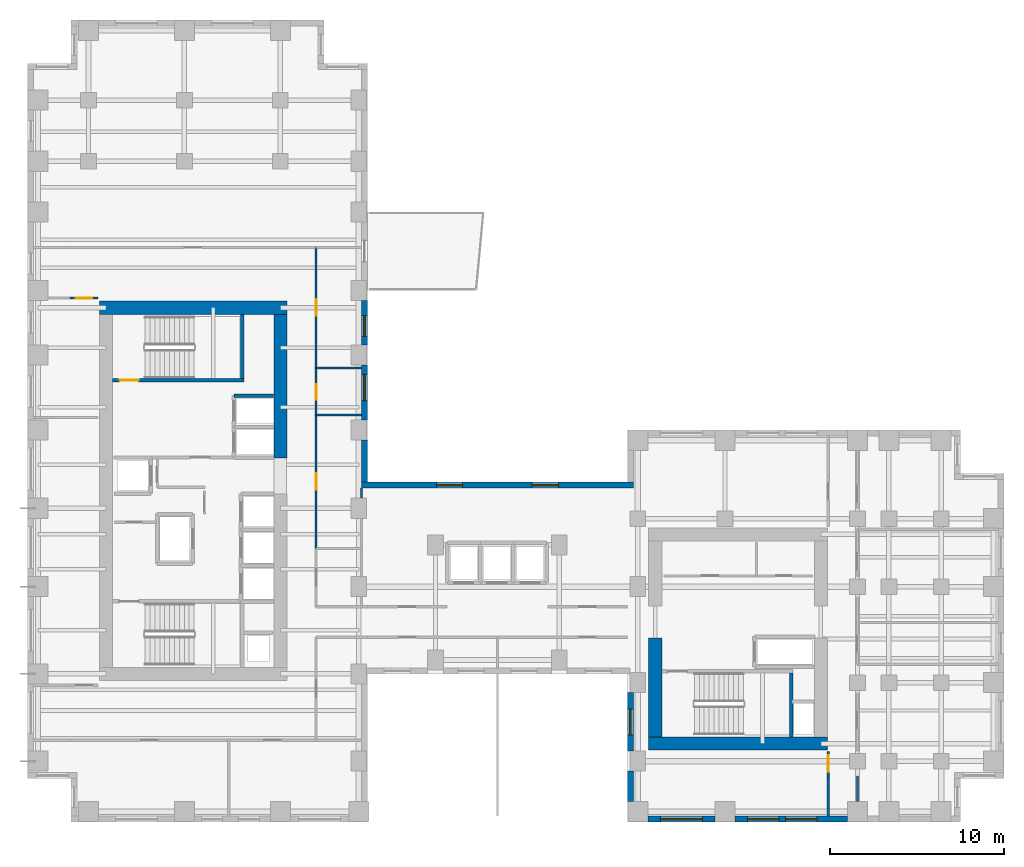
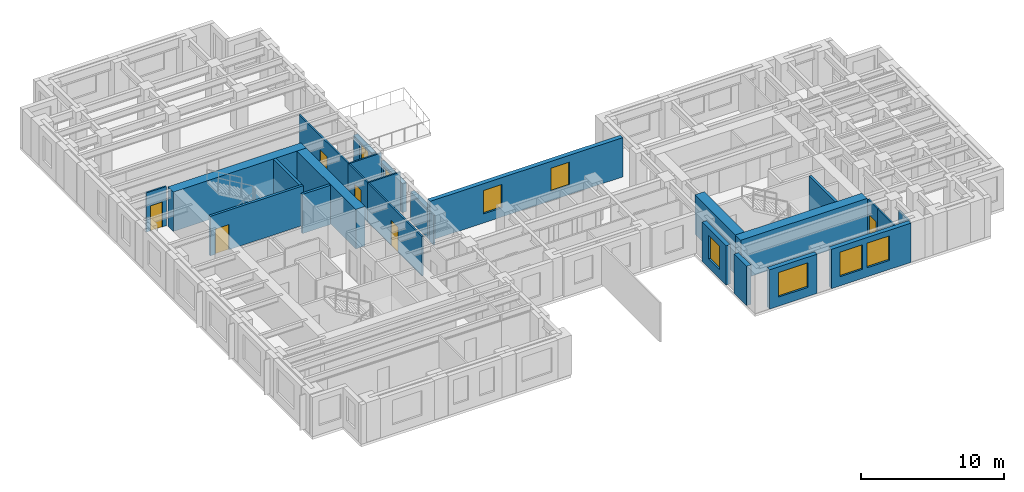
# One storey, part 6 of 11: 26 walls, 8 windows, 6 doors, 14 openings.
"""IFC4 building model written with IfcOpenShell, lengths in metres."""

from ifc_helpers import new_model, si_unit, direction, frame, frame_2d, origin, place, context, subcontext, project, spatial, rectangle, extrude, source, transform, mapped, material, layer, layer_set, type_object, element, fill, save


model = new_model("IFC4")

# Units and contexts
model_context = context("Model", 3, precision=1e-05, world=origin(), true_north=direction((0.0, 1.0)))
body_context = subcontext(model_context, "Body", "Model", "MODEL_VIEW")
ifc_project = project(units=[si_unit("LENGTHUNIT", "METRE"), si_unit("AREAUNIT", "SQUARE_METRE"), si_unit("VOLUMEUNIT", "CUBIC_METRE"), si_unit("PLANEANGLEUNIT", "RADIAN"), si_unit("MASSUNIT", "GRAM", prefix="KILO")], contexts=[model_context])

# Site, building, storey
site_placement = place(None, origin())
site = spatial("IfcSite", under=ifc_project, at=site_placement, CompositionType="ELEMENT")
building_placement = place(site_placement, origin())
building = spatial("IfcBuilding", under=site, at=building_placement, Name="Kharzan Plaza Tower", CompositionType="ELEMENT")
storey_placement = place(building_placement, frame((0.0, 0.0, 99.0)))
storey = spatial("IfcBuildingStorey", under=building, at=storey_placement, Name="L26", CompositionType="ELEMENT", Elevation=99.0)

# Wall, opening, window
ifc_material_1 = material(Name="Concrete C40/50", Category="concrete")
ifc_layer_1 = layer(ifc_material_1, 0.35009765625)
ifc_layer_set_1 = layer_set([ifc_layer_1], Name="Concrete C40/50")
wall_type_1 = type_object("IfcWallType", Name="WL-EXT-MAS-Z2", PredefinedType="SOLIDWALL", material=ifc_layer_set_1)
wall_1_placement = place(storey_placement, frame((19.324951171875, 23.072998046875, 0.0), z_axis=(0.0, 0.0, 1.0), x_axis=(0.0, 1.0, 0.0)))
wall_1 = element("IfcWall", 1, at=wall_1_placement, inside=storey, type_object=wall_type_1, Name="L26 Masonry-Frame Exterior Wall 02", PredefinedType="SOLIDWALL", context=body_context, shape_type="SweptSolid", body=[
    extrude(rectangle(XDim=3.154052734375, YDim=0.35009765625, at=frame_2d((1.5771484375, 0.0))), origin(), (0.0, 0.0, 1.0), 2.51904296875),
])
opening_1_placement = place(wall_1_placement, frame((1.10546875, 0.0, 0.780029296875)))
opening_1 = element("IfcOpeningElement", 2, at=opening_1_placement, cuts=wall_1, Name="Opening W5", PredefinedType="OPENING", context=body_context, shape_type="SweptSolid", body=[
    extrude(rectangle(XDim=1.5, YDim=1.55908203125, at=frame_2d((0.75, 0.779541015625))), frame((0.0, 0.18505859375, 0.0), z_axis=(0.0, -1.0, 0.0), x_axis=(1.0, 0.0, 0.0)), (0.0, 0.0, 1.0), 0.3701171875),
])
ifc_material_2 = material(Name="Low-E Double Glazing", Category="glass")
window_type_1 = type_object("IfcWindowType", Name="WN-SLT-1500x2000", PartitioningType="SINGLE_PANEL", PredefinedType="WINDOW", material=ifc_material_2)
shared_shape_1 = source(origin(), body_context, "Body", "SweptSolid", [
    extrude(rectangle(XDim=1.5, YDim=1.55908203125, at=frame_2d((0.75, 0.779541015625))), frame((0.0, 0.030029296875, 0.0), z_axis=(0.0, -1.0, 0.0), x_axis=(1.0, 0.0, 0.0)), (0.0, 0.0, 1.0), 0.06005859375),
])
window_1_placement = place(opening_1_placement, origin())
window_1 = element("IfcWindow", 3, at=window_1_placement, inside=storey, type_object=window_type_1, Name="L26 Recessed Solar-Control Window 02-1", OverallHeight=1.55908203125, OverallWidth=1.5, PartitioningType="SINGLE_PANEL", PredefinedType="WINDOW", context=body_context, shape_type="MappedRepresentation", body=[
    mapped(shared_shape_1, transform((0.0, 0.0, 0.0), x_axis=(1.0, 0.0, 0.0), y_axis=(0.0, 1.0, 0.0), z_axis=(0.0, 0.0, 1.0))),
])
fill(opening_1, window_1)

wall_2_placement = place(storey_placement, frame((19.324951171875, 27.373046875, 0.0), z_axis=(0.0, 0.0, 1.0), x_axis=(0.0, 1.0, 0.0)))
wall_2 = element("IfcWall", 4, at=wall_2_placement, inside=storey, type_object=wall_type_1, Name="L26 Masonry-Frame Exterior Wall 03", PredefinedType="SOLIDWALL", context=body_context, shape_type="SweptSolid", body=[
    extrude(rectangle(XDim=2.553955078125, YDim=0.35009765625, at=frame_2d((1.27685546875, 0.0))), origin(), (0.0, 0.0, 1.0), 2.51904296875),
])
opening_2_placement = place(wall_2_placement, frame((0.47998046875, 0.0, 0.780029296875)))
opening_2 = element("IfcOpeningElement", 5, at=opening_2_placement, cuts=wall_2, Name="Opening W3", PredefinedType="OPENING", context=body_context, shape_type="SweptSolid", body=[
    extrude(rectangle(XDim=1.199951171875, YDim=1.55908203125, at=frame_2d((0.60009765625, 0.779541015625))), frame((0.0, 0.18505859375, 0.0), z_axis=(0.0, -1.0, 0.0), x_axis=(1.0, 0.0, 0.0)), (0.0, 0.0, 1.0), 0.3701171875),
])
window_type_2 = type_object("IfcWindowType", Name="WN-REC-1200x2100", PartitioningType="SINGLE_PANEL", PredefinedType="WINDOW", material=ifc_material_2)
shared_shape_2 = source(origin(), body_context, "Body", "SweptSolid", [
    extrude(rectangle(XDim=1.199951171875, YDim=1.55908203125, at=frame_2d((0.60009765625, 0.779541015625))), frame((0.0, 0.030029296875, 0.0), z_axis=(0.0, -1.0, 0.0), x_axis=(1.0, 0.0, 0.0)), (0.0, 0.0, 1.0), 0.06005859375),
])
window_2_placement = place(opening_2_placement, origin())
window_2 = element("IfcWindow", 6, at=window_2_placement, inside=storey, type_object=window_type_2, Name="L26 Recessed Solar-Control Window 03-1", OverallHeight=1.55908203125, OverallWidth=1.199951171875, PartitioningType="SINGLE_PANEL", PredefinedType="WINDOW", context=body_context, shape_type="MappedRepresentation", body=[
    mapped(shared_shape_2, transform((0.0, 0.0, 0.0), x_axis=(1.0, 0.0, 0.0), y_axis=(0.0, 1.0, 0.0), z_axis=(0.0, 0.0, 1.0))),
])
fill(opening_2, window_2)

wall_3_placement = place(storey_placement, frame((34.574951171875, 7.427001953125, 0.0), z_axis=(0.0, 0.0, 1.0), x_axis=(0.0, -1.0, 0.0)))
wall_3 = element("IfcWall", 7, at=wall_3_placement, inside=storey, type_object=wall_type_1, Name="L26 Masonry-Frame Exterior Wall 37", PredefinedType="SOLIDWALL", context=body_context, shape_type="SweptSolid", body=[
    extrude(rectangle(XDim=3.35400390625, YDim=0.35009765625, at=frame_2d((1.677001953125, 0.0))), origin(), (0.0, 0.0, 1.0), 3.364990234375),
])
opening_3_placement = place(wall_3_placement, frame((0.927001953125, 0.0, 0.780029296875)))
opening_3 = element("IfcOpeningElement", 8, at=opening_3_placement, cuts=wall_3, Name="Opening W5", PredefinedType="OPENING", context=body_context, shape_type="SweptSolid", body=[
    extrude(rectangle(XDim=1.5, YDim=2.0, at=frame_2d((0.75, 1.0))), frame((0.0, 0.18505859375, 0.0), z_axis=(0.0, -1.0, 0.0), x_axis=(1.0, 0.0, 0.0)), (0.0, 0.0, 1.0), 0.3701171875),
])
shared_shape_3 = source(origin(), body_context, "Body", "SweptSolid", [
    extrude(rectangle(XDim=1.5, YDim=2.0, at=frame_2d((0.75, 1.0))), frame((0.0, 0.030029296875, 0.0), z_axis=(0.0, -1.0, 0.0), x_axis=(1.0, 0.0, 0.0)), (0.0, 0.0, 1.0), 0.06005859375),
])
window_3_placement = place(opening_3_placement, origin())
window_3 = element("IfcWindow", 9, at=window_3_placement, inside=storey, type_object=window_type_1, Name="L26 Recessed Solar-Control Window 37-1", OverallHeight=2.0, OverallWidth=1.5, PartitioningType="SINGLE_PANEL", PredefinedType="WINDOW", context=body_context, shape_type="MappedRepresentation", body=[
    mapped(shared_shape_3, transform((0.0, 0.0, 0.0), x_axis=(1.0, 0.0, 0.0), y_axis=(0.0, 1.0, 0.0), z_axis=(0.0, 0.0, 1.0))),
])
fill(opening_3, window_3)

wall_4_placement = place(storey_placement, frame((35.572998046875, 0.175048828125, 0.0), z_axis=(0.0, 0.0, 1.0), x_axis=(1.0, 0.0, 0.0)))
wall_4 = element("IfcWall", 10, at=wall_4_placement, inside=storey, type_object=wall_type_1, Name="L26 Masonry-Frame Exterior Wall 39", PredefinedType="SOLIDWALL", context=body_context, shape_type="SweptSolid", body=[
    extrude(rectangle(XDim=3.85400390625, YDim=0.35009765625, at=frame_2d((1.927001953125, 0.0))), origin(), (0.0, 0.0, 1.0), 3.364990234375),
])
opening_4_placement = place(wall_4_placement, frame((0.72705078125, 0.0, 0.780029296875)))
opening_4 = element("IfcOpeningElement", 11, at=opening_4_placement, cuts=wall_4, Name="Opening W2", PredefinedType="OPENING", context=body_context, shape_type="SweptSolid", body=[
    extrude(rectangle(XDim=2.39990234375, YDim=2.10009765625, at=frame_2d((1.199951171875, 1.050048828125))), frame((0.0, 0.18505859375, 0.0), z_axis=(0.0, -1.0, 0.0), x_axis=(1.0, 0.0, 0.0)), (0.0, 0.0, 1.0), 0.3701171875),
])
window_type_3 = type_object("IfcWindowType", Name="WN-REC-2400x2100", PartitioningType="SINGLE_PANEL", PredefinedType="WINDOW", material=ifc_material_2)
shared_shape_4 = source(origin(), body_context, "Body", "SweptSolid", [
    extrude(rectangle(XDim=2.39990234375, YDim=2.10009765625, at=frame_2d((1.199951171875, 1.050048828125))), frame((0.0, 0.030029296875, 0.0), z_axis=(0.0, -1.0, 0.0), x_axis=(1.0, 0.0, 0.0)), (0.0, 0.0, 1.0), 0.06005859375),
])
window_4_placement = place(opening_4_placement, origin())
window_4 = element("IfcWindow", 12, at=window_4_placement, inside=storey, type_object=window_type_3, Name="L26 Wide Recessed Solar-Control Window 39-1", OverallHeight=2.10009765625, OverallWidth=2.39990234375, PartitioningType="SINGLE_PANEL", PredefinedType="WINDOW", context=body_context, shape_type="MappedRepresentation", body=[
    mapped(shared_shape_4, transform((0.0, 0.0, 0.0), x_axis=(1.0, 0.0, 0.0), y_axis=(0.0, 1.0, 0.0), z_axis=(0.0, 0.0, 1.0))),
])
fill(opening_4, window_4)

# Wall, openings, windows
wall_5_placement = place(storey_placement, frame((40.572998046875, 0.175048828125, 0.0), z_axis=(0.0, 0.0, 1.0), x_axis=(1.0, 0.0, 0.0)))
wall_5 = element("IfcWall", 13, at=wall_5_placement, inside=storey, type_object=wall_type_1, Name="L26 Masonry-Frame Exterior Wall 40", PredefinedType="SOLIDWALL", context=body_context, shape_type="SweptSolid", body=[
    extrude(rectangle(XDim=6.4541015625, YDim=0.35009765625, at=frame_2d((3.22705078125, 0.0))), origin(), (0.0, 0.0, 1.0), 3.364990234375),
])
opening_5_placement = place(wall_5_placement, frame((0.71240234375, 0.0, 0.780029296875)))
opening_5 = element("IfcOpeningElement", 14, at=opening_5_placement, cuts=wall_5, Name="Opening W1", PredefinedType="OPENING", context=body_context, shape_type="SweptSolid", body=[
    extrude(rectangle(XDim=1.800048828125, YDim=2.10009765625, at=frame_2d((0.89990234375, 1.050048828125))), frame((0.0, 0.18505859375, 0.0), z_axis=(0.0, -1.0, 0.0), x_axis=(1.0, 0.0, 0.0)), (0.0, 0.0, 1.0), 0.3701171875),
])
opening_6_placement = place(wall_5_placement, frame((2.90478515625, 0.0, 0.780029296875)))
opening_6 = element("IfcOpeningElement", 15, at=opening_6_placement, cuts=wall_5, Name="Opening W1", PredefinedType="OPENING", context=body_context, shape_type="SweptSolid", body=[
    extrude(rectangle(XDim=1.800048828125, YDim=2.10009765625, at=frame_2d((0.89990234375, 1.050048828125))), frame((0.0, 0.18505859375, 0.0), z_axis=(0.0, -1.0, 0.0), x_axis=(1.0, 0.0, 0.0)), (0.0, 0.0, 1.0), 0.3701171875),
])
window_type_4 = type_object("IfcWindowType", Name="WN-REC-1800x2100", PartitioningType="SINGLE_PANEL", PredefinedType="WINDOW", material=ifc_material_2)
shared_shape_5 = source(origin(), body_context, "Body", "SweptSolid", [
    extrude(rectangle(XDim=1.800048828125, YDim=2.10009765625, at=frame_2d((0.89990234375, 1.050048828125))), frame((0.0, 0.030029296875, 0.0), z_axis=(0.0, -1.0, 0.0), x_axis=(1.0, 0.0, 0.0)), (0.0, 0.0, 1.0), 0.06005859375),
])
window_5_placement = place(opening_5_placement, origin())
window_5 = element("IfcWindow", 16, at=window_5_placement, inside=storey, type_object=window_type_4, Name="L26 Recessed Solar-Control Window 40-1", OverallHeight=2.10009765625, OverallWidth=1.800048828125, PartitioningType="SINGLE_PANEL", PredefinedType="WINDOW", context=body_context, shape_type="MappedRepresentation", body=[
    mapped(shared_shape_5, transform((0.0, 0.0, 0.0), x_axis=(1.0, 0.0, 0.0), y_axis=(0.0, 1.0, 0.0), z_axis=(0.0, 0.0, 1.0))),
])
fill(opening_5, window_5)
window_6_placement = place(opening_6_placement, origin())
window_6 = element("IfcWindow", 17, at=window_6_placement, inside=storey, type_object=window_type_4, Name="L26 Recessed Solar-Control Window 40-2", OverallHeight=2.10009765625, OverallWidth=1.800048828125, PartitioningType="SINGLE_PANEL", PredefinedType="WINDOW", context=body_context, shape_type="MappedRepresentation", body=[
    mapped(shared_shape_5, transform((0.0, 0.0, 0.0), x_axis=(1.0, 0.0, 0.0), y_axis=(0.0, 1.0, 0.0), z_axis=(0.0, 0.0, 1.0))),
])
fill(opening_6, window_6)

wall_6_placement = place(storey_placement, frame((34.75, 19.324951171875, 0.0), z_axis=(0.0, 0.0, 1.0), x_axis=(-1.0, 0.0, 0.0)))
wall_6 = element("IfcWall", 18, at=wall_6_placement, inside=storey, type_object=wall_type_1, Name="L26 Masonry-Frame Exterior Wall 58", PredefinedType="SOLIDWALL", context=body_context, shape_type="SweptSolid", body=[
    extrude(rectangle(XDim=15.60009765625, YDim=0.35009765625, at=frame_2d((7.800048828125, 0.0))), origin(), (0.0, 0.0, 1.0), 3.364990234375),
])
opening_7_placement = place(wall_6_placement, frame((4.306640625, 0.0, 0.780029296875)))
opening_7 = element("IfcOpeningElement", 19, at=opening_7_placement, cuts=wall_6, Name="Opening W5", PredefinedType="OPENING", context=body_context, shape_type="SweptSolid", body=[
    extrude(rectangle(XDim=1.5, YDim=2.0, at=frame_2d((0.75, 1.0))), frame((0.0, 0.18505859375, 0.0), z_axis=(0.0, -1.0, 0.0), x_axis=(1.0, 0.0, 0.0)), (0.0, 0.0, 1.0), 0.3701171875),
])
opening_8_placement = place(wall_6_placement, frame((9.793212890625, 0.0, 0.780029296875)))
opening_8 = element("IfcOpeningElement", 20, at=opening_8_placement, cuts=wall_6, Name="Opening W5", PredefinedType="OPENING", context=body_context, shape_type="SweptSolid", body=[
    extrude(rectangle(XDim=1.5, YDim=2.0, at=frame_2d((0.75, 1.0))), frame((0.0, 0.18505859375, 0.0), z_axis=(0.0, -1.0, 0.0), x_axis=(1.0, 0.0, 0.0)), (0.0, 0.0, 1.0), 0.3701171875),
])
window_7_placement = place(opening_7_placement, origin())
window_7 = element("IfcWindow", 21, at=window_7_placement, inside=storey, type_object=window_type_1, Name="L26 Recessed Solar-Control Window 58-1", OverallHeight=2.0, OverallWidth=1.5, PartitioningType="SINGLE_PANEL", PredefinedType="WINDOW", context=body_context, shape_type="MappedRepresentation", body=[
    mapped(shared_shape_3, transform((0.0, 0.0, 0.0), x_axis=(1.0, 0.0, 0.0), y_axis=(0.0, 1.0, 0.0), z_axis=(0.0, 0.0, 1.0))),
])
fill(opening_7, window_7)
window_8_placement = place(opening_8_placement, origin())
window_8 = element("IfcWindow", 22, at=window_8_placement, inside=storey, type_object=window_type_1, Name="L26 Recessed Solar-Control Window 58-2", OverallHeight=2.0, OverallWidth=1.5, PartitioningType="SINGLE_PANEL", PredefinedType="WINDOW", context=body_context, shape_type="MappedRepresentation", body=[
    mapped(shared_shape_3, transform((0.0, 0.0, 0.0), x_axis=(1.0, 0.0, 0.0), y_axis=(0.0, 1.0, 0.0), z_axis=(0.0, 0.0, 1.0))),
])
fill(opening_8, window_8)

# Wall, opening, door
ifc_material_3 = material(Name="Fire-Rated Gypsum Board Partition", Category="gypsum")
ifc_layer_2 = layer(ifc_material_3, 0.125)
ifc_layer_set_2 = layer_set([ifc_layer_2], Name="Fire-Rated Gypsum Board Partition")
wall_type_2 = type_object("IfcWallType", Name="WL-INT-PART-125", PredefinedType="PARTITIONING", material=ifc_layer_set_2)
wall_7_placement = place(storey_placement, frame((16.550048828125, 15.699951171875, 0.0), z_axis=(0.0, 0.0, 1.0), x_axis=(0.0, 1.0, 0.0)))
wall_7 = element("IfcWall", 23, at=wall_7_placement, inside=storey, type_object=wall_type_2, Name="L26 Interior Partition SH-AEWN2", PredefinedType="PARTITIONING", context=body_context, shape_type="SweptSolid", body=[
    extrude(rectangle(XDim=7.650146484375, YDim=0.125, at=frame_2d((3.8251953125, 0.0))), origin(), (0.0, 0.0, 1.0), 3.364990234375),
])
opening_9_placement = place(wall_7_placement, frame((3.35009765625, 0.0, 0.0)))
opening_9 = element("IfcOpeningElement", 24, at=opening_9_placement, cuts=wall_7, Name="Opening OD1", PredefinedType="OPENING", context=body_context, shape_type="SweptSolid", body=[
    extrude(rectangle(XDim=0.949951171875, YDim=2.14990234375, at=frame_2d((0.47509765625, 1.074951171875))), frame((0.0, 0.072509765625, 0.0), z_axis=(0.0, -1.0, 0.0), x_axis=(1.0, 0.0, 0.0)), (0.0, 0.0, 1.0), 0.14501953125),
])
ifc_material_4 = material(Name="Acoustic Solid-Core Stained Oak", Category="timber")
door_type_1 = type_object("IfcDoorType", Name="DR-OFF-SINGLE", OperationType="NOTDEFINED", PredefinedType="DOOR", material=ifc_material_4)
shared_shape_6 = source(origin(), body_context, "Body", "SweptSolid", [
    extrude(rectangle(XDim=0.949951171875, YDim=2.14990234375, at=frame_2d((0.47509765625, 1.074951171875))), frame((0.0, 0.02490234375, 0.0), z_axis=(0.0, -1.0, 0.0), x_axis=(1.0, 0.0, 0.0)), (0.0, 0.0, 1.0), 0.050048828125),
])
door_1_placement = place(opening_9_placement, origin())
door_1 = element("IfcDoor", 25, at=door_1_placement, inside=storey, type_object=door_type_1, Name="L26 Slot Studio Door", OperationType="SINGLE_SWING_RIGHT", OverallHeight=2.14990234375, OverallWidth=0.949951171875, PredefinedType="DOOR", context=body_context, shape_type="MappedRepresentation", body=[
    mapped(shared_shape_6, transform((0.0, 0.0, 0.0), x_axis=(1.0, 0.0, 0.0), y_axis=(0.0, 1.0, 0.0), z_axis=(0.0, 0.0, 1.0))),
])
fill(opening_9, door_1)

wall_8_placement = place(storey_placement, frame((16.550048828125, 26.050048828125, 0.0), z_axis=(0.0, 0.0, 1.0), x_axis=(0.0, 1.0, 0.0)))
wall_8 = element("IfcWall", 26, at=wall_8_placement, inside=storey, type_object=wall_type_2, Name="L26 Interior Partition SH-AEWN3", PredefinedType="PARTITIONING", context=body_context, shape_type="SweptSolid", body=[
    extrude(rectangle(XDim=6.89990234375, YDim=0.125, at=frame_2d((3.449951171875, 0.0))), origin(), (0.0, 0.0, 1.0), 3.364990234375),
])
opening_10_placement = place(wall_8_placement, frame((2.97509765625, 0.0, 0.0)))
opening_10 = element("IfcOpeningElement", 27, at=opening_10_placement, cuts=wall_8, Name="Opening OD1", PredefinedType="OPENING", context=body_context, shape_type="SweptSolid", body=[
    extrude(rectangle(XDim=0.949951171875, YDim=2.14990234375, at=frame_2d((0.47509765625, 1.074951171875))), frame((0.0, 0.072509765625, 0.0), z_axis=(0.0, -1.0, 0.0), x_axis=(1.0, 0.0, 0.0)), (0.0, 0.0, 1.0), 0.14501953125),
])
door_2_placement = place(opening_10_placement, origin())
door_2 = element("IfcDoor", 28, at=door_2_placement, inside=storey, type_object=door_type_1, Name="L26 Staff Tea Point Door", OperationType="SINGLE_SWING_RIGHT", OverallHeight=2.14990234375, OverallWidth=0.949951171875, PredefinedType="DOOR", context=body_context, shape_type="MappedRepresentation", body=[
    mapped(shared_shape_6, transform((0.0, 0.0, 0.0), x_axis=(1.0, 0.0, 0.0), y_axis=(0.0, 1.0, 0.0), z_axis=(0.0, 0.0, 1.0))),
])
fill(opening_10, door_2)

wall_9_placement = place(storey_placement, frame((16.550048828125, 23.35009765625, 0.0), z_axis=(0.0, 0.0, 1.0), x_axis=(0.0, 1.0, 0.0)))
wall_9 = element("IfcWall", 29, at=wall_9_placement, inside=storey, type_object=wall_type_2, Name="L26 Interior Partition SH-AEWW", PredefinedType="PARTITIONING", context=body_context, shape_type="SweptSolid", body=[
    extrude(rectangle(XDim=2.699951171875, YDim=0.125, at=frame_2d((1.35009765625, 0.0))), origin(), (0.0, 0.0, 1.0), 3.364990234375),
])
opening_11_placement = place(wall_9_placement, frame((0.875, 0.0, 0.0)))
opening_11 = element("IfcOpeningElement", 30, at=opening_11_placement, cuts=wall_9, Name="Opening WD1", PredefinedType="OPENING", context=body_context, shape_type="SweptSolid", body=[
    extrude(rectangle(XDim=0.89990234375, YDim=2.14990234375, at=frame_2d((0.449951171875, 1.074951171875))), frame((0.0, 0.072509765625, 0.0), z_axis=(0.0, -1.0, 0.0), x_axis=(1.0, 0.0, 0.0)), (0.0, 0.0, 1.0), 0.14501953125),
])
ifc_material_5 = material(Name="Moisture-Resistant Fire-Rated Laminate", Category="timber")
door_type_2 = type_object("IfcDoorType", Name="DR-WC-900", OperationType="NOTDEFINED", PredefinedType="DOOR", material=ifc_material_5)
shared_shape_7 = source(origin(), body_context, "Body", "SweptSolid", [
    extrude(rectangle(XDim=0.89990234375, YDim=2.14990234375, at=frame_2d((0.449951171875, 1.074951171875))), frame((0.0, 0.02490234375, 0.0), z_axis=(0.0, -1.0, 0.0), x_axis=(1.0, 0.0, 0.0)), (0.0, 0.0, 1.0), 0.050048828125),
])
door_3_placement = place(opening_11_placement, origin())
door_3 = element("IfcDoor", 31, at=door_3_placement, inside=storey, type_object=door_type_2, Name="L26 Wing A Washroom Door", OperationType="SINGLE_SWING_LEFT", OverallHeight=2.14990234375, OverallWidth=0.89990234375, PredefinedType="DOOR", context=body_context, shape_type="MappedRepresentation", body=[
    mapped(shared_shape_7, transform((0.0, 0.0, 0.0), x_axis=(1.0, 0.0, 0.0), y_axis=(0.0, 1.0, 0.0), z_axis=(0.0, 0.0, 1.0))),
])
fill(opening_11, door_3)

wall_10_placement = place(storey_placement, frame((45.919921875, 2.64990234375, 0.0), z_axis=(0.0, 0.0, 1.0), x_axis=(0.0, 1.0, 0.0)))
wall_10 = element("IfcWall", 32, at=wall_10_placement, inside=storey, type_object=wall_type_2, Name="L26 Interior Partition SH-RBSE", PredefinedType="PARTITIONING", context=body_context, shape_type="SweptSolid", body=[
    extrude(rectangle(XDim=1.400146484375, YDim=0.125, at=frame_2d((0.7001953125, 0.0))), origin(), (0.0, 0.0, 1.0), 3.364990234375),
])
opening_12_placement = place(wall_10_placement, frame((0.22509765625, 0.0, 0.0)))
opening_12 = element("IfcOpeningElement", 33, at=opening_12_placement, cuts=wall_10, Name="Opening OD1", PredefinedType="OPENING", context=body_context, shape_type="SweptSolid", body=[
    extrude(rectangle(XDim=0.949951171875, YDim=2.14990234375, at=frame_2d((0.47509765625, 1.074951171875))), frame((0.0, 0.072509765625, 0.0), z_axis=(0.0, -1.0, 0.0), x_axis=(1.0, 0.0, 0.0)), (0.0, 0.0, 1.0), 0.14501953125),
])
door_4_placement = place(opening_12_placement, origin())
door_4 = element("IfcDoor", 34, at=door_4_placement, inside=storey, type_object=door_type_1, Name="L26 South-East Corner Office Door", OperationType="SINGLE_SWING_LEFT", OverallHeight=2.14990234375, OverallWidth=0.949951171875, PredefinedType="DOOR", context=body_context, shape_type="MappedRepresentation", body=[
    mapped(shared_shape_6, transform((0.0, 0.0, 0.0), x_axis=(1.0, 0.0, 0.0), y_axis=(0.0, 1.0, 0.0), z_axis=(0.0, 0.0, 1.0))),
])
fill(opening_12, door_4)

wall_11_placement = place(storey_placement, frame((2.449951171875, 30.050048828125, 0.0), z_axis=(0.0, 0.0, 1.0), x_axis=(1.0, 0.0, 0.0)))
wall_11 = element("IfcWall", 35, at=wall_11_placement, inside=storey, type_object=wall_type_2, Name="L26 Interior Partition SH-RWND", PredefinedType="PARTITIONING", context=body_context, shape_type="SweptSolid", body=[
    extrude(rectangle(XDim=1.60009765625, YDim=0.125, at=frame_2d((0.800048828125, 0.0))), origin(), (0.0, 0.0, 1.0), 3.364990234375),
])
opening_13_placement = place(wall_11_placement, frame((0.324951171875, 0.0, 0.0)))
opening_13 = element("IfcOpeningElement", 36, at=opening_13_placement, cuts=wall_11, Name="Opening OD1", PredefinedType="OPENING", context=body_context, shape_type="SweptSolid", body=[
    extrude(rectangle(XDim=0.949951171875, YDim=2.14990234375, at=frame_2d((0.47509765625, 1.074951171875))), frame((0.0, 0.072509765625, 0.0), z_axis=(0.0, -1.0, 0.0), x_axis=(1.0, 0.0, 0.0)), (0.0, 0.0, 1.0), 0.14501953125),
])
door_5_placement = place(opening_13_placement, origin())
door_5 = element("IfcDoor", 37, at=door_5_placement, inside=storey, type_object=door_type_1, Name="L26 West Office 2 Door", OperationType="SINGLE_SWING_RIGHT", OverallHeight=2.14990234375, OverallWidth=0.949951171875, PredefinedType="DOOR", context=body_context, shape_type="MappedRepresentation", body=[
    mapped(shared_shape_6, transform((0.0, 0.0, 0.0), x_axis=(1.0, 0.0, 0.0), y_axis=(0.0, 1.0, 0.0), z_axis=(0.0, 0.0, 1.0))),
])
fill(opening_13, door_5)

ifc_material_6 = material(Name="Concrete C50/60", Category="concrete")
ifc_layer_3 = layer(ifc_material_6, 0.199951171875)
ifc_layer_set_3 = layer_set([ifc_layer_3], Name="Concrete C50/60")
wall_type_3 = type_object("IfcWallType", Name="WL-SHAFT-RC200", PredefinedType="SHEAR", material=ifc_layer_set_3)
wall_12_placement = place(storey_placement, frame((4.876953125, 25.344970703125, 0.0), z_axis=(0.0, 0.0, 1.0), x_axis=(1.0, 0.0, 0.0)))
wall_12 = element("IfcWall", 38, at=wall_12_placement, inside=storey, type_object=wall_type_3, Name="L26 Stair ST-2 South RC Shaft Wall", PredefinedType="SHEAR", context=body_context, shape_type="SweptSolid", body=[
    extrude(rectangle(XDim=7.528076171875, YDim=0.199951171875, at=frame_2d((3.76416015625, 0.0))), origin(), (0.0, 0.0, 1.0), 3.3798828125),
])
opening_14_placement = place(wall_12_placement, frame((0.39990234375, 0.0, 0.0)))
opening_14 = element("IfcOpeningElement", 39, at=opening_14_placement, cuts=wall_12, Name="Opening SD1", PredefinedType="OPENING", context=body_context, shape_type="SweptSolid", body=[
    extrude(rectangle(XDim=1.10009765625, YDim=2.14990234375, at=frame_2d((0.550048828125, 1.074951171875))), frame((0.0, 0.10986328125, 0.0), z_axis=(0.0, -1.0, 0.0), x_axis=(1.0, 0.0, 0.0)), (0.0, 0.0, 1.0), 0.219970703125),
])
ifc_material_7 = material(Name="Fire-Rated Hollow Galvanized Steel", Category="steel")
door_type_3 = type_object("IfcDoorType", Name="DR-STAIR-FD120", OperationType="NOTDEFINED", PredefinedType="DOOR", material=ifc_material_7)
shared_shape_8 = source(origin(), body_context, "Body", "SweptSolid", [
    extrude(rectangle(XDim=1.10009765625, YDim=2.14990234375, at=frame_2d((0.550048828125, 1.074951171875))), frame((0.0, 0.02490234375, 0.0), z_axis=(0.0, -1.0, 0.0), x_axis=(1.0, 0.0, 0.0)), (0.0, 0.0, 1.0), 0.050048828125),
])
door_6_placement = place(opening_14_placement, origin())
door_6 = element("IfcDoor", 40, at=door_6_placement, inside=storey, type_object=door_type_3, Name="L26 Stair ST-2 Fire Exit Door", OperationType="SINGLE_SWING_LEFT", OverallHeight=2.14990234375, OverallWidth=1.10009765625, PredefinedType="DOOR", context=body_context, shape_type="MappedRepresentation", body=[
    mapped(shared_shape_8, transform((0.0, 0.0, 0.0), x_axis=(1.0, 0.0, 0.0), y_axis=(0.0, 1.0, 0.0), z_axis=(0.0, 0.0, 1.0))),
])
fill(opening_14, door_6)

# Walls
shared_shape_9 = source(origin(), body_context, "Body", "SweptSolid", [
    extrude(rectangle(XDim=2.597900390625, YDim=0.125, at=frame_2d((1.298828125, 0.0))), origin(), (0.0, 0.0, 1.0), 3.364990234375),
])
for number, where, z_axis, x_axis, name in (
    (41, (16.550048828125, 23.35009765625, 0.0), (0.0, 0.0, 1.0), (1.0, 0.0, 0.0), "L26 Interior Partition SH-AEH-233"),
    (42, (16.550048828125, 26.050048828125, 0.0), (0.0, 0.0, 1.0), (1.0, 0.0, 0.0), "L26 Interior Partition SH-AEH-260"),
):
    element("IfcWall", number, at=place(storey_placement, frame(where, z_axis=z_axis, x_axis=x_axis)), inside=storey, type_object=wall_type_2, Name=name, PredefinedType="PARTITIONING", context=body_context, shape_type="MappedRepresentation", body=[
        mapped(shared_shape_9, transform((0.0, 0.0, 0.0), x_axis=(1.0, 0.0, 0.0), y_axis=(0.0, 1.0, 0.0), z_axis=(0.0, 0.0, 1.0))),
    ])
shared_shape_10 = source(origin(), body_context, "Body", "SweptSolid", [
    extrude(rectangle(XDim=2.2978515625, YDim=0.125, at=frame_2d((1.14892578125, 0.0))), origin(), (0.0, 0.0, 1.0), 3.364990234375),
])
wall_13_placement = place(storey_placement, frame((45.919921875, 0.35205078125, 0.0), z_axis=(0.0, 0.0, 1.0), x_axis=(0.0, 1.0, 0.0)))
element("IfcWall", 43, at=wall_13_placement, inside=storey, type_object=wall_type_2, Name="L26 Interior Partition SH-RBSE0", PredefinedType="PARTITIONING", context=body_context, shape_type="MappedRepresentation", body=[
    mapped(shared_shape_10, transform((0.0, 0.0, 0.0), x_axis=(1.0, 0.0, 0.0), y_axis=(0.0, 1.0, 0.0), z_axis=(0.0, 0.0, 1.0))),
])
shared_shape_11 = source(origin(), body_context, "Body", "SweptSolid", [
    extrude(rectangle(XDim=1.75390625, YDim=0.35009765625, at=frame_2d((0.876953125, 0.0))), origin(), (0.0, 0.0, 1.0), 3.364990234375),
])
wall_14_placement = place(storey_placement, frame((34.574951171875, 2.927001953125, 0.0), z_axis=(0.0, 0.0, 1.0), x_axis=(0.0, -1.0, 0.0)))
element("IfcWall", 44, at=wall_14_placement, inside=storey, type_object=wall_type_1, Name="L26 Masonry-Frame Exterior Wall 38", PredefinedType="SOLIDWALL", context=body_context, shape_type="MappedRepresentation", body=[
    mapped(shared_shape_11, transform((0.0, 0.0, 0.0), x_axis=(1.0, 0.0, 0.0), y_axis=(0.0, 1.0, 0.0), z_axis=(0.0, 0.0, 1.0))),
])
ifc_layer_4 = layer(ifc_material_1, 0.199951171875)
ifc_layer_set_4 = layer_set([ifc_layer_4], Name="Concrete C40/50")
wall_type_4 = type_object("IfcWallType", Name="WL-INT-SHAFT-200", PredefinedType="PARTITIONING", material=ifc_layer_set_4)
shared_shape_12 = source(origin(), body_context, "Body", "SweptSolid", [
    extrude(rectangle(XDim=2.264892578125, YDim=0.199951171875, at=frame_2d((1.13232421875, 0.0))), origin(), (0.0, 0.0, 1.0), 3.364990234375),
])
wall_15_placement = place(storey_placement, frame((11.830078125, 24.4599609375, 0.0), z_axis=(0.0, 0.0, 1.0), x_axis=(1.0, 0.0, 0.0)))
element("IfcWall", 45, at=wall_15_placement, inside=storey, type_object=wall_type_4, Name="L26 Interior Partition SHF-FFL-2-N", PredefinedType="PARTITIONING", context=body_context, shape_type="MappedRepresentation", body=[
    mapped(shared_shape_12, transform((0.0, 0.0, 0.0), x_axis=(1.0, 0.0, 0.0), y_axis=(0.0, 1.0, 0.0), z_axis=(0.0, 0.0, 1.0))),
])
ifc_material_8 = material(Name="Concrete C60/75", Category="concrete")
ifc_layer_5 = layer(ifc_material_8, 0.75)
ifc_layer_set_5 = layer_set([ifc_layer_5], Name="Concrete C60/75")
wall_type_5 = type_object("IfcWallType", Name="WL-CORE-750", PredefinedType="SHEAR", material=ifc_layer_set_5)
shared_shape_13 = source(origin(), body_context, "Body", "SweptSolid", [
    extrude(rectangle(XDim=8.2451171875, YDim=0.75, at=frame_2d((4.12255859375, 0.0))), origin(), (0.0, 0.0, 1.0), 3.3798828125),
])
wall_16_placement = place(storey_placement, frame((14.5, 20.8798828125, 0.0), z_axis=(0.0, 0.0, 1.0), x_axis=(0.0, 1.0, 0.0)))
element("IfcWall", 46, at=wall_16_placement, inside=storey, type_object=wall_type_5, Name="L26 CORE-A east shear pier 2", PredefinedType="SHEAR", context=body_context, shape_type="MappedRepresentation", body=[
    mapped(shared_shape_13, transform((0.0, 0.0, 0.0), x_axis=(1.0, 0.0, 0.0), y_axis=(0.0, 1.0, 0.0), z_axis=(0.0, 0.0, 1.0))),
])
shared_shape_14 = source(origin(), body_context, "Body", "SweptSolid", [
    extrude(rectangle(XDim=10.75, YDim=0.75, at=frame_2d((5.375, 0.0))), origin(), (0.0, 0.0, 1.0), 3.3798828125),
])
wall_17_placement = place(storey_placement, frame((4.125, 29.5, 0.0), z_axis=(0.0, 0.0, 1.0), x_axis=(1.0, 0.0, 0.0)))
element("IfcWall", 47, at=wall_17_placement, inside=storey, type_object=wall_type_5, Name="L26 CORE-A north RC shear wall", PredefinedType="SHEAR", context=body_context, shape_type="MappedRepresentation", body=[
    mapped(shared_shape_14, transform((0.0, 0.0, 0.0), x_axis=(1.0, 0.0, 0.0), y_axis=(0.0, 1.0, 0.0), z_axis=(0.0, 0.0, 1.0))),
])
shared_shape_15 = source(origin(), body_context, "Body", "SweptSolid", [
    extrude(rectangle(XDim=5.675048828125, YDim=0.75, at=frame_2d((2.83740234375, 0.0))), origin(), (0.0, 0.0, 1.0), 3.3798828125),
])
wall_18_placement = place(storey_placement, frame((36.0, 4.875, 0.0), z_axis=(0.0, 0.0, 1.0), x_axis=(0.0, 1.0, 0.0)))
element("IfcWall", 48, at=wall_18_placement, inside=storey, type_object=wall_type_5, Name="L26 CORE-B west shear pier 1", PredefinedType="SHEAR", context=body_context, shape_type="MappedRepresentation", body=[
    mapped(shared_shape_15, transform((0.0, 0.0, 0.0), x_axis=(1.0, 0.0, 0.0), y_axis=(0.0, 1.0, 0.0), z_axis=(0.0, 0.0, 1.0))),
])
shared_shape_16 = source(origin(), body_context, "Body", "SweptSolid", [
    extrude(rectangle(XDim=10.25, YDim=0.75, at=frame_2d((5.125, 0.0))), origin(), (0.0, 0.0, 1.0), 3.3798828125),
])
wall_19_placement = place(storey_placement, frame((35.625, 4.5, 0.0), z_axis=(0.0, 0.0, 1.0), x_axis=(1.0, 0.0, 0.0)))
element("IfcWall", 49, at=wall_19_placement, inside=storey, type_object=wall_type_5, Name="L26 CORE-B south RC shear wall", PredefinedType="SHEAR", context=body_context, shape_type="MappedRepresentation", body=[
    mapped(shared_shape_16, transform((0.0, 0.0, 0.0), x_axis=(1.0, 0.0, 0.0), y_axis=(0.0, 1.0, 0.0), z_axis=(0.0, 0.0, 1.0))),
])
shared_shape_17 = source(origin(), body_context, "Body", "SweptSolid", [
    extrude(rectangle(XDim=1.4599609375, YDim=0.125, at=frame_2d((0.72998046875, 0.0))), origin(), (0.0, 0.0, 1.0), 2.677001953125),
])
wall_20_placement = place(storey_placement, frame((47.60009765625, 1.18994140625, 0.0), z_axis=(0.0, 0.0, 1.0), x_axis=(0.0, 1.0, 0.0)))
element("IfcWall", 50, at=wall_20_placement, inside=storey, type_object=wall_type_2, Name="L26 Interior Partition SH-B1W0S", PredefinedType="PARTITIONING", context=body_context, shape_type="MappedRepresentation", body=[
    mapped(shared_shape_17, transform((0.0, 0.0, 0.0), x_axis=(1.0, 0.0, 0.0), y_axis=(0.0, 1.0, 0.0), z_axis=(0.0, 0.0, 1.0))),
])
shared_shape_18 = source(origin(), body_context, "Body", "SweptSolid", [
    extrude(rectangle(XDim=3.677978515625, YDim=0.199951171875, at=frame_2d((1.8388671875, 0.0))), origin(), (0.0, 0.0, 1.0), 3.3798828125),
])
for number, where, z_axis, x_axis, name in (
    (51, (12.304931640625, 25.445068359375, 0.0), (0.0, 0.0, 1.0), (0.0, 1.0, 0.0), "L26 Stair ST-2 East RC Shaft Wall"),
    (52, (43.804931640625, 4.876953125, 0.0), (0.0, 0.0, 1.0), (0.0, 1.0, 0.0), "L26 Stair ST-3 East RC Shaft Wall"),
):
    element("IfcWall", number, at=place(storey_placement, frame(where, z_axis=z_axis, x_axis=x_axis)), inside=storey, type_object=wall_type_3, Name=name, PredefinedType="SHEAR", context=body_context, shape_type="MappedRepresentation", body=[
        mapped(shared_shape_18, transform((0.0, 0.0, 0.0), x_axis=(1.0, 0.0, 0.0), y_axis=(0.0, 1.0, 0.0), z_axis=(0.0, 0.0, 1.0))),
    ])
shared_shape_19 = source(origin(), body_context, "Body", "SweptSolid", [
    extrude(rectangle(XDim=2.428955078125, YDim=0.35009765625, at=frame_2d((1.21435546875, 0.0))), origin(), (0.0, 0.0, 1.0), 2.51904296875),
])
wall_21_placement = place(storey_placement, frame((19.324951171875, 19.498046875, 0.0), z_axis=(0.0, 0.0, 1.0), x_axis=(0.0, 1.0, 0.0)))
element("IfcWall", 53, at=wall_21_placement, inside=storey, type_object=wall_type_1, Name="L26 Masonry-Frame Exterior Wall 01", PredefinedType="SOLIDWALL", context=body_context, shape_type="MappedRepresentation", body=[
    mapped(shared_shape_19, transform((0.0, 0.0, 0.0), x_axis=(1.0, 0.0, 0.0), y_axis=(0.0, 1.0, 0.0), z_axis=(0.0, 0.0, 1.0))),
])
shared_shape_20 = source(origin(), body_context, "Body", "SweptSolid", [
    extrude(rectangle(XDim=0.557861328125, YDim=0.125, at=frame_2d((0.27880859375, 0.0))), origin(), (0.0, 0.0, 1.0), 2.51904296875),
])
wall_22_placement = place(storey_placement, frame((19.14990234375, 18.590087890625, 0.0), z_axis=(0.0, 0.0, 1.0), x_axis=(0.0, 1.0, 0.0)))
element("IfcWall", 54, at=wall_22_placement, inside=storey, type_object=wall_type_2, Name="L26 Interior Partition SH-AEN-DIV-S3", PredefinedType="PARTITIONING", context=body_context, shape_type="MappedRepresentation", body=[
    mapped(shared_shape_20, transform((0.0, 0.0, 0.0), x_axis=(1.0, 0.0, 0.0), y_axis=(0.0, 1.0, 0.0), z_axis=(0.0, 0.0, 1.0))),
])

save(model, "model.ifc")
